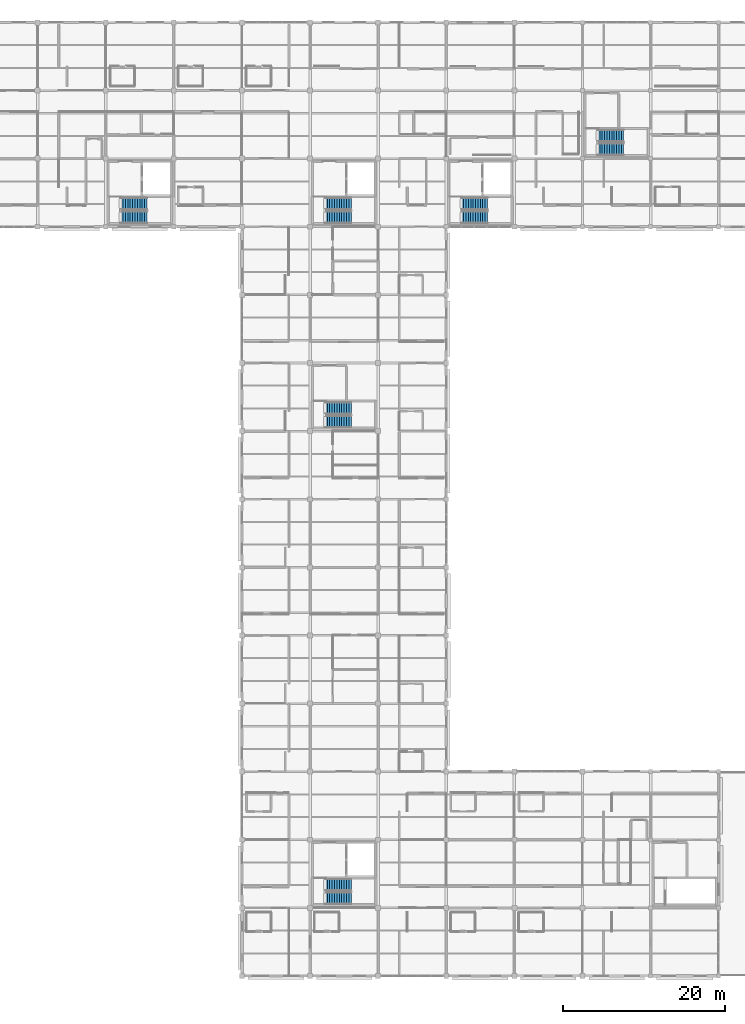
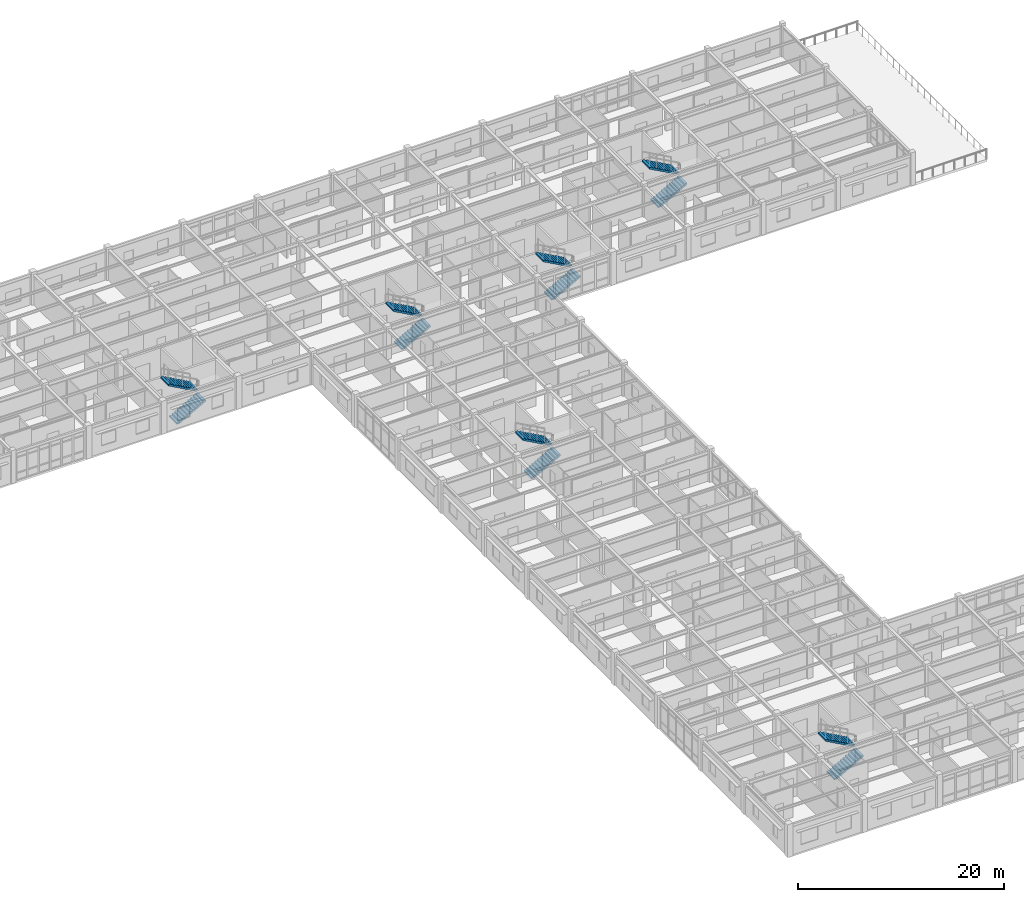
# One storey, part 60 of 70: 12 stair flights, 6 elements without a shape of their own.
"""IFC4 building model written with IfcOpenShell, lengths in metres."""

from ifc_helpers import new_model, si_unit, direction, frame, origin, place, context, subcontext, project, spatial, polyline, outline, extrude, material, type_object, element, aggregate, save


model = new_model("IFC4")

# Units and contexts
model_context = context("Model", 3, precision=1e-05, world=origin(), true_north=direction((0.0, 1.0)))
body_context = subcontext(model_context, "Body", "Model", "MODEL_VIEW")
ifc_project = project(units=[si_unit("LENGTHUNIT", "METRE"), si_unit("AREAUNIT", "SQUARE_METRE"), si_unit("VOLUMEUNIT", "CUBIC_METRE"), si_unit("PLANEANGLEUNIT", "RADIAN"), si_unit("MASSUNIT", "GRAM", prefix="KILO")], contexts=[model_context])

# Site, building, storey
site_placement = place(None, origin())
site = spatial("IfcSite", under=ifc_project, at=site_placement, CompositionType="ELEMENT")
building_placement = place(site_placement, origin())
building = spatial("IfcBuilding", under=site, at=building_placement, Name="Bramfleet General Hospital", CompositionType="ELEMENT")
storey_placement = place(building_placement, frame((0.0, 0.0, 22.5)))
storey = spatial("IfcBuildingStorey", under=building, at=storey_placement, Name="L05", CompositionType="ELEMENT", Elevation=22.5)

# Stair, stair flights
ifc_material = material(Name="Concrete C35/45", Category="concrete")
stair_type = type_object("IfcStairType", Name="STR-T4", PredefinedType="HALF_TURN_STAIR", material=ifc_material)
stair_1_placement = place(storey_placement, origin())
stair_1 = element("IfcStair", 1, at=stair_1_placement, inside=storey, type_object=stair_type, Name="L05 Core C3 (South Ward Wing) Protected Escape Stair", PredefinedType="HALF_TURN_STAIR")
stair_flight_type = type_object("IfcStairFlightType", Name="STF-T4", PredefinedType="STRAIGHT", material=ifc_material)
stair_flight_1_placement = place(storey_placement, frame((102.639892578125, 9.570068359375, 0.0), z_axis=(0.0, 0.0, 1.0), x_axis=(1.0, 0.0, 0.0)))
stair_flight_1 = element("IfcStairFlight", 2, at=stair_flight_1_placement, type_object=stair_flight_type, Name="ST-C3 flight 1", NumberOfRisers=12, NumberOfTreads=11, PredefinedType="STRAIGHT", RiserHeight=0.1625, TreadLength=0.295, context=body_context, shape_type="SweptSolid", body=[
    extrude(outline(polyline([(0.0, 0.0), (0.0, 0.16259765625), (0.294921875, 0.16259765625), (0.294921875, 0.324951171875), (0.590087890625, 0.324951171875), (0.590087890625, 0.487548828125), (0.885009765625, 0.487548828125), (0.885009765625, 0.64990234375), (1.179931640625, 0.64990234375), (1.179931640625, 0.8125), (1.47509765625, 0.8125), (1.47509765625, 0.97509765625), (1.77001953125, 0.97509765625), (1.77001953125, 1.137451171875), (2.06494140625, 1.137451171875), (2.06494140625, 1.300048828125), (2.360107421875, 1.300048828125), (2.360107421875, 1.46240234375), (2.655029296875, 1.46240234375), (2.655029296875, 1.625), (2.949951171875, 1.625), (2.949951171875, 1.78759765625), (3.2451171875, 1.78759765625), (3.2451171875, 1.949951171875), (3.2451171875, 1.60498046875), (0.33154296875, 0.0), (0.0, 0.0)])), frame((0.0, 0.75, 0.0), z_axis=(0.0, -1.0, 0.0), x_axis=(1.0, 0.0, 0.0)), (0.0, 0.0, 1.0), 1.5),
])
stair_flight_2_placement = place(storey_placement, frame((105.885009765625, 11.22998046875, 1.949951171875), z_axis=(0.0, 0.0, 1.0), x_axis=(-1.0, 0.0, 0.0)))
stair_flight_2 = element("IfcStairFlight", 3, at=stair_flight_2_placement, type_object=stair_flight_type, Name="ST-C3 flight 2", NumberOfRisers=12, NumberOfTreads=11, PredefinedType="STRAIGHT", RiserHeight=0.1625, TreadLength=0.295, context=body_context, shape_type="SweptSolid", body=[
    extrude(outline(polyline([(0.0, 0.0), (0.0, 0.16259765625), (0.294921875, 0.16259765625), (0.294921875, 0.324951171875), (0.590087890625, 0.324951171875), (0.590087890625, 0.487548828125), (0.885009765625, 0.487548828125), (0.885009765625, 0.64990234375), (1.179931640625, 0.64990234375), (1.179931640625, 0.8125), (1.47509765625, 0.8125), (1.47509765625, 0.97509765625), (1.77001953125, 0.97509765625), (1.77001953125, 1.137451171875), (2.06494140625, 1.137451171875), (2.06494140625, 1.300048828125), (2.360107421875, 1.300048828125), (2.360107421875, 1.46240234375), (2.655029296875, 1.46240234375), (2.655029296875, 1.625), (2.949951171875, 1.625), (2.949951171875, 1.78759765625), (3.2451171875, 1.78759765625), (3.2451171875, 1.949951171875), (3.2451171875, 1.60498046875), (0.33154296875, 0.0), (0.0, 0.0)])), frame((0.0, 0.75, 0.0), z_axis=(0.0, -1.0, 0.0), x_axis=(1.0, 0.0, 0.0)), (0.0, 0.0, 1.0), 1.5),
])
aggregate(stair_1, [stair_flight_1, stair_flight_2])

stair_2_placement = place(storey_placement, origin())
stair_2 = element("IfcStair", 4, at=stair_2_placement, inside=storey, type_object=stair_type, Name="L05 Core C4 (Central Spine & Helipad Trauma) Protected Escape Stair", PredefinedType="HALF_TURN_STAIR")
stair_flight_3_placement = place(storey_placement, frame((102.639892578125, 93.570068359375, 0.0), z_axis=(0.0, 0.0, 1.0), x_axis=(1.0, 0.0, 0.0)))
stair_flight_3 = element("IfcStairFlight", 5, at=stair_flight_3_placement, type_object=stair_flight_type, Name="ST-C4 flight 1", NumberOfRisers=12, NumberOfTreads=11, PredefinedType="STRAIGHT", RiserHeight=0.1625, TreadLength=0.295, context=body_context, shape_type="SweptSolid", body=[
    extrude(outline(polyline([(0.0, 0.0), (0.0, 0.16259765625), (0.294921875, 0.16259765625), (0.294921875, 0.324951171875), (0.590087890625, 0.324951171875), (0.590087890625, 0.487548828125), (0.885009765625, 0.487548828125), (0.885009765625, 0.64990234375), (1.179931640625, 0.64990234375), (1.179931640625, 0.8125), (1.47509765625, 0.8125), (1.47509765625, 0.97509765625), (1.77001953125, 0.97509765625), (1.77001953125, 1.137451171875), (2.06494140625, 1.137451171875), (2.06494140625, 1.300048828125), (2.360107421875, 1.300048828125), (2.360107421875, 1.46240234375), (2.655029296875, 1.46240234375), (2.655029296875, 1.625), (2.949951171875, 1.625), (2.949951171875, 1.78759765625), (3.2451171875, 1.78759765625), (3.2451171875, 1.949951171875), (3.2451171875, 1.60498046875), (0.33154296875, 0.0), (0.0, 0.0)])), frame((0.0, 0.75, 0.0), z_axis=(0.0, -1.0, 0.0), x_axis=(1.0, 0.0, 0.0)), (0.0, 0.0, 1.0), 1.5),
])
stair_flight_4_placement = place(storey_placement, frame((105.885009765625, 95.22998046875, 1.949951171875), z_axis=(0.0, 0.0, 1.0), x_axis=(-1.0, 0.0, 0.0)))
stair_flight_4 = element("IfcStairFlight", 6, at=stair_flight_4_placement, type_object=stair_flight_type, Name="ST-C4 flight 2", NumberOfRisers=12, NumberOfTreads=11, PredefinedType="STRAIGHT", RiserHeight=0.1625, TreadLength=0.295, context=body_context, shape_type="SweptSolid", body=[
    extrude(outline(polyline([(0.0, 0.0), (0.0, 0.16259765625), (0.294921875, 0.16259765625), (0.294921875, 0.324951171875), (0.590087890625, 0.324951171875), (0.590087890625, 0.487548828125), (0.885009765625, 0.487548828125), (0.885009765625, 0.64990234375), (1.179931640625, 0.64990234375), (1.179931640625, 0.8125), (1.47509765625, 0.8125), (1.47509765625, 0.97509765625), (1.77001953125, 0.97509765625), (1.77001953125, 1.137451171875), (2.06494140625, 1.137451171875), (2.06494140625, 1.300048828125), (2.360107421875, 1.300048828125), (2.360107421875, 1.46240234375), (2.655029296875, 1.46240234375), (2.655029296875, 1.625), (2.949951171875, 1.625), (2.949951171875, 1.78759765625), (3.2451171875, 1.78759765625), (3.2451171875, 1.949951171875), (3.2451171875, 1.60498046875), (0.33154296875, 0.0), (0.0, 0.0)])), frame((0.0, 0.75, 0.0), z_axis=(0.0, -1.0, 0.0), x_axis=(1.0, 0.0, 0.0)), (0.0, 0.0, 1.0), 1.5),
])
aggregate(stair_2, [stair_flight_3, stair_flight_4])

stair_3_placement = place(storey_placement, origin())
stair_3 = element("IfcStair", 7, at=stair_3_placement, inside=storey, type_object=stair_type, Name="L05 Core C5 (North-West Ward Wing) Protected Escape Stair", PredefinedType="HALF_TURN_STAIR")
stair_flight_5_placement = place(storey_placement, frame((77.43994140625, 93.570068359375, 0.0), z_axis=(0.0, 0.0, 1.0), x_axis=(1.0, 0.0, 0.0)))
stair_flight_5 = element("IfcStairFlight", 8, at=stair_flight_5_placement, type_object=stair_flight_type, Name="ST-C5 flight 1", NumberOfRisers=12, NumberOfTreads=11, PredefinedType="STRAIGHT", RiserHeight=0.1625, TreadLength=0.295, context=body_context, shape_type="SweptSolid", body=[
    extrude(outline(polyline([(0.0, 0.0), (0.0, 0.16259765625), (0.294921875, 0.16259765625), (0.294921875, 0.324951171875), (0.590087890625, 0.324951171875), (0.590087890625, 0.487548828125), (0.885009765625, 0.487548828125), (0.885009765625, 0.64990234375), (1.179931640625, 0.64990234375), (1.179931640625, 0.8125), (1.47509765625, 0.8125), (1.47509765625, 0.97509765625), (1.77001953125, 0.97509765625), (1.77001953125, 1.137451171875), (2.06494140625, 1.137451171875), (2.06494140625, 1.300048828125), (2.360107421875, 1.300048828125), (2.360107421875, 1.46240234375), (2.655029296875, 1.46240234375), (2.655029296875, 1.625), (2.949951171875, 1.625), (2.949951171875, 1.78759765625), (3.2451171875, 1.78759765625), (3.2451171875, 1.949951171875), (3.2451171875, 1.60498046875), (0.33154296875, 0.0), (0.0, 0.0)])), frame((0.0, 0.75, 0.0), z_axis=(0.0, -1.0, 0.0), x_axis=(1.0, 0.0, 0.0)), (0.0, 0.0, 1.0), 1.5),
])
stair_flight_6_placement = place(storey_placement, frame((80.68505859375, 95.22998046875, 1.949951171875), z_axis=(0.0, 0.0, 1.0), x_axis=(-1.0, 0.0, 0.0)))
stair_flight_6 = element("IfcStairFlight", 9, at=stair_flight_6_placement, type_object=stair_flight_type, Name="ST-C5 flight 2", NumberOfRisers=12, NumberOfTreads=11, PredefinedType="STRAIGHT", RiserHeight=0.1625, TreadLength=0.295, context=body_context, shape_type="SweptSolid", body=[
    extrude(outline(polyline([(0.0, 0.0), (0.0, 0.16259765625), (0.294921875, 0.16259765625), (0.294921875, 0.324951171875), (0.590087890625, 0.324951171875), (0.590087890625, 0.487548828125), (0.885009765625, 0.487548828125), (0.885009765625, 0.64990234375), (1.179931640625, 0.64990234375), (1.179931640625, 0.8125), (1.47509765625, 0.8125), (1.47509765625, 0.97509765625), (1.77001953125, 0.97509765625), (1.77001953125, 1.137451171875), (2.06494140625, 1.137451171875), (2.06494140625, 1.300048828125), (2.360107421875, 1.300048828125), (2.360107421875, 1.46240234375), (2.655029296875, 1.46240234375), (2.655029296875, 1.625), (2.949951171875, 1.625), (2.949951171875, 1.78759765625), (3.2451171875, 1.78759765625), (3.2451171875, 1.949951171875), (3.2451171875, 1.60498046875), (0.33154296875, 0.0), (0.0, 0.0)])), frame((0.0, 0.75, 0.0), z_axis=(0.0, -1.0, 0.0), x_axis=(1.0, 0.0, 0.0)), (0.0, 0.0, 1.0), 1.5),
])
aggregate(stair_3, [stair_flight_5, stair_flight_6])

stair_4_placement = place(storey_placement, origin())
stair_4 = element("IfcStair", 10, at=stair_4_placement, inside=storey, type_object=stair_type, Name="L05 Core C6 (North-East Ward & Helipad) Protected Escape Stair", PredefinedType="HALF_TURN_STAIR")
stair_flight_7_placement = place(storey_placement, frame((119.43994140625, 93.570068359375, 0.0), z_axis=(0.0, 0.0, 1.0), x_axis=(1.0, 0.0, 0.0)))
stair_flight_7 = element("IfcStairFlight", 11, at=stair_flight_7_placement, type_object=stair_flight_type, Name="ST-C6 flight 1", NumberOfRisers=12, NumberOfTreads=11, PredefinedType="STRAIGHT", RiserHeight=0.1625, TreadLength=0.295, context=body_context, shape_type="SweptSolid", body=[
    extrude(outline(polyline([(0.0, 0.0), (0.0, 0.16259765625), (0.294921875, 0.16259765625), (0.294921875, 0.324951171875), (0.590087890625, 0.324951171875), (0.590087890625, 0.487548828125), (0.885009765625, 0.487548828125), (0.885009765625, 0.64990234375), (1.179931640625, 0.64990234375), (1.179931640625, 0.8125), (1.47509765625, 0.8125), (1.47509765625, 0.97509765625), (1.77001953125, 0.97509765625), (1.77001953125, 1.137451171875), (2.06494140625, 1.137451171875), (2.06494140625, 1.300048828125), (2.360107421875, 1.300048828125), (2.360107421875, 1.46240234375), (2.655029296875, 1.46240234375), (2.655029296875, 1.625), (2.949951171875, 1.625), (2.949951171875, 1.78759765625), (3.2451171875, 1.78759765625), (3.2451171875, 1.949951171875), (3.2451171875, 1.60498046875), (0.33154296875, 0.0), (0.0, 0.0)])), frame((0.0, 0.75, 0.0), z_axis=(0.0, -1.0, 0.0), x_axis=(1.0, 0.0, 0.0)), (0.0, 0.0, 1.0), 1.5),
])
stair_flight_8_placement = place(storey_placement, frame((122.68505859375, 95.22998046875, 1.949951171875), z_axis=(0.0, 0.0, 1.0), x_axis=(-1.0, 0.0, 0.0)))
stair_flight_8 = element("IfcStairFlight", 12, at=stair_flight_8_placement, type_object=stair_flight_type, Name="ST-C6 flight 2", NumberOfRisers=12, NumberOfTreads=11, PredefinedType="STRAIGHT", RiserHeight=0.1625, TreadLength=0.295, context=body_context, shape_type="SweptSolid", body=[
    extrude(outline(polyline([(0.0, 0.0), (0.0, 0.16259765625), (0.294921875, 0.16259765625), (0.294921875, 0.324951171875), (0.590087890625, 0.324951171875), (0.590087890625, 0.487548828125), (0.885009765625, 0.487548828125), (0.885009765625, 0.64990234375), (1.179931640625, 0.64990234375), (1.179931640625, 0.8125), (1.47509765625, 0.8125), (1.47509765625, 0.97509765625), (1.77001953125, 0.97509765625), (1.77001953125, 1.137451171875), (2.06494140625, 1.137451171875), (2.06494140625, 1.300048828125), (2.360107421875, 1.300048828125), (2.360107421875, 1.46240234375), (2.655029296875, 1.46240234375), (2.655029296875, 1.625), (2.949951171875, 1.625), (2.949951171875, 1.78759765625), (3.2451171875, 1.78759765625), (3.2451171875, 1.949951171875), (3.2451171875, 1.60498046875), (0.33154296875, 0.0), (0.0, 0.0)])), frame((0.0, 0.75, 0.0), z_axis=(0.0, -1.0, 0.0), x_axis=(1.0, 0.0, 0.0)), (0.0, 0.0, 1.0), 1.5),
])
aggregate(stair_4, [stair_flight_7, stair_flight_8])

stair_5_placement = place(storey_placement, origin())
stair_5 = element("IfcStair", 13, at=stair_5_placement, inside=storey, type_object=stair_type, Name="L05 Core C9 (North-East Ward & Diagnostic Escape) Protected Escape Stair", PredefinedType="HALF_TURN_STAIR")
stair_flight_9_placement = place(storey_placement, frame((136.239990234375, 101.969970703125, 0.0), z_axis=(0.0, 0.0, 1.0), x_axis=(1.0, 0.0, 0.0)))
stair_flight_9 = element("IfcStairFlight", 14, at=stair_flight_9_placement, type_object=stair_flight_type, Name="ST-C9 flight 1", NumberOfRisers=12, NumberOfTreads=11, PredefinedType="STRAIGHT", RiserHeight=0.1625, TreadLength=0.295, context=body_context, shape_type="SweptSolid", body=[
    extrude(outline(polyline([(0.0, 0.0), (0.0, 0.16259765625), (0.294921875, 0.16259765625), (0.294921875, 0.324951171875), (0.590087890625, 0.324951171875), (0.590087890625, 0.487548828125), (0.885009765625, 0.487548828125), (0.885009765625, 0.64990234375), (1.179931640625, 0.64990234375), (1.179931640625, 0.8125), (1.47509765625, 0.8125), (1.47509765625, 0.97509765625), (1.77001953125, 0.97509765625), (1.77001953125, 1.137451171875), (2.06494140625, 1.137451171875), (2.06494140625, 1.300048828125), (2.360107421875, 1.300048828125), (2.360107421875, 1.46240234375), (2.655029296875, 1.46240234375), (2.655029296875, 1.625), (2.949951171875, 1.625), (2.949951171875, 1.78759765625), (3.2451171875, 1.78759765625), (3.2451171875, 1.949951171875), (3.2451171875, 1.60498046875), (0.33154296875, 0.0), (0.0, 0.0)])), frame((0.0, 0.75, 0.0), z_axis=(0.0, -1.0, 0.0), x_axis=(1.0, 0.0, 0.0)), (0.0, 0.0, 1.0), 1.5),
])
stair_flight_10_placement = place(storey_placement, frame((139.485107421875, 103.6298828125, 1.949951171875), z_axis=(0.0, 0.0, 1.0), x_axis=(-1.0, 0.0, 0.0)))
stair_flight_10 = element("IfcStairFlight", 15, at=stair_flight_10_placement, type_object=stair_flight_type, Name="ST-C9 flight 2", NumberOfRisers=12, NumberOfTreads=11, PredefinedType="STRAIGHT", RiserHeight=0.1625, TreadLength=0.295, context=body_context, shape_type="SweptSolid", body=[
    extrude(outline(polyline([(0.0, 0.0), (0.0, 0.16259765625), (0.294921875, 0.16259765625), (0.294921875, 0.324951171875), (0.590087890625, 0.324951171875), (0.590087890625, 0.487548828125), (0.885009765625, 0.487548828125), (0.885009765625, 0.64990234375), (1.179931640625, 0.64990234375), (1.179931640625, 0.8125), (1.47509765625, 0.8125), (1.47509765625, 0.97509765625), (1.77001953125, 0.97509765625), (1.77001953125, 1.137451171875), (2.06494140625, 1.137451171875), (2.06494140625, 1.300048828125), (2.360107421875, 1.300048828125), (2.360107421875, 1.46240234375), (2.655029296875, 1.46240234375), (2.655029296875, 1.625), (2.949951171875, 1.625), (2.949951171875, 1.78759765625), (3.2451171875, 1.78759765625), (3.2451171875, 1.949951171875), (3.2451171875, 1.60498046875), (0.33154296875, 0.0), (0.0, 0.0)])), frame((0.0, 0.75, 0.0), z_axis=(0.0, -1.0, 0.0), x_axis=(1.0, 0.0, 0.0)), (0.0, 0.0, 1.0), 1.5),
])
aggregate(stair_5, [stair_flight_9, stair_flight_10])

stair_6_placement = place(storey_placement, origin())
stair_6 = element("IfcStair", 16, at=stair_6_placement, inside=storey, type_object=stair_type, Name="L05 Core C11 (Central Spine Escape) Protected Escape Stair", PredefinedType="HALF_TURN_STAIR")
stair_flight_11_placement = place(storey_placement, frame((102.639892578125, 68.3701171875, 0.0), z_axis=(0.0, 0.0, 1.0), x_axis=(1.0, 0.0, 0.0)))
stair_flight_11 = element("IfcStairFlight", 17, at=stair_flight_11_placement, type_object=stair_flight_type, Name="ST-C11 flight 1", NumberOfRisers=12, NumberOfTreads=11, PredefinedType="STRAIGHT", RiserHeight=0.1625, TreadLength=0.295, context=body_context, shape_type="SweptSolid", body=[
    extrude(outline(polyline([(0.0, 0.0), (0.0, 0.16259765625), (0.294921875, 0.16259765625), (0.294921875, 0.324951171875), (0.590087890625, 0.324951171875), (0.590087890625, 0.487548828125), (0.885009765625, 0.487548828125), (0.885009765625, 0.64990234375), (1.179931640625, 0.64990234375), (1.179931640625, 0.8125), (1.47509765625, 0.8125), (1.47509765625, 0.97509765625), (1.77001953125, 0.97509765625), (1.77001953125, 1.137451171875), (2.06494140625, 1.137451171875), (2.06494140625, 1.300048828125), (2.360107421875, 1.300048828125), (2.360107421875, 1.46240234375), (2.655029296875, 1.46240234375), (2.655029296875, 1.625), (2.949951171875, 1.625), (2.949951171875, 1.78759765625), (3.2451171875, 1.78759765625), (3.2451171875, 1.949951171875), (3.2451171875, 1.60498046875), (0.33154296875, 0.0), (0.0, 0.0)])), frame((0.0, 0.75, 0.0), z_axis=(0.0, -1.0, 0.0), x_axis=(1.0, 0.0, 0.0)), (0.0, 0.0, 1.0), 1.5),
])
stair_flight_12_placement = place(storey_placement, frame((105.885009765625, 70.030029296875, 1.949951171875), z_axis=(0.0, 0.0, 1.0), x_axis=(-1.0, 0.0, 0.0)))
stair_flight_12 = element("IfcStairFlight", 18, at=stair_flight_12_placement, type_object=stair_flight_type, Name="ST-C11 flight 2", NumberOfRisers=12, NumberOfTreads=11, PredefinedType="STRAIGHT", RiserHeight=0.1625, TreadLength=0.295, context=body_context, shape_type="SweptSolid", body=[
    extrude(outline(polyline([(0.0, 0.0), (0.0, 0.16259765625), (0.294921875, 0.16259765625), (0.294921875, 0.324951171875), (0.590087890625, 0.324951171875), (0.590087890625, 0.487548828125), (0.885009765625, 0.487548828125), (0.885009765625, 0.64990234375), (1.179931640625, 0.64990234375), (1.179931640625, 0.8125), (1.47509765625, 0.8125), (1.47509765625, 0.97509765625), (1.77001953125, 0.97509765625), (1.77001953125, 1.137451171875), (2.06494140625, 1.137451171875), (2.06494140625, 1.300048828125), (2.360107421875, 1.300048828125), (2.360107421875, 1.46240234375), (2.655029296875, 1.46240234375), (2.655029296875, 1.625), (2.949951171875, 1.625), (2.949951171875, 1.78759765625), (3.2451171875, 1.78759765625), (3.2451171875, 1.949951171875), (3.2451171875, 1.60498046875), (0.33154296875, 0.0), (0.0, 0.0)])), frame((0.0, 0.75, 0.0), z_axis=(0.0, -1.0, 0.0), x_axis=(1.0, 0.0, 0.0)), (0.0, 0.0, 1.0), 1.5),
])
aggregate(stair_6, [stair_flight_11, stair_flight_12])

save(model, "model.ifc")
